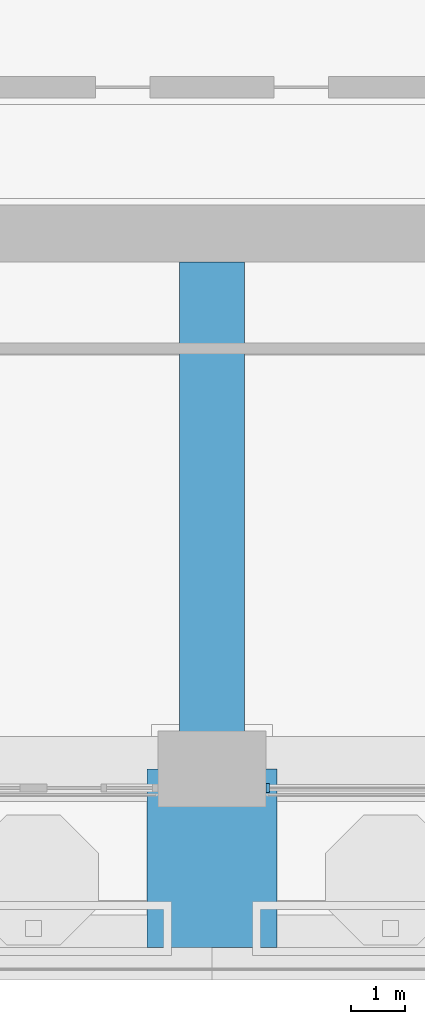
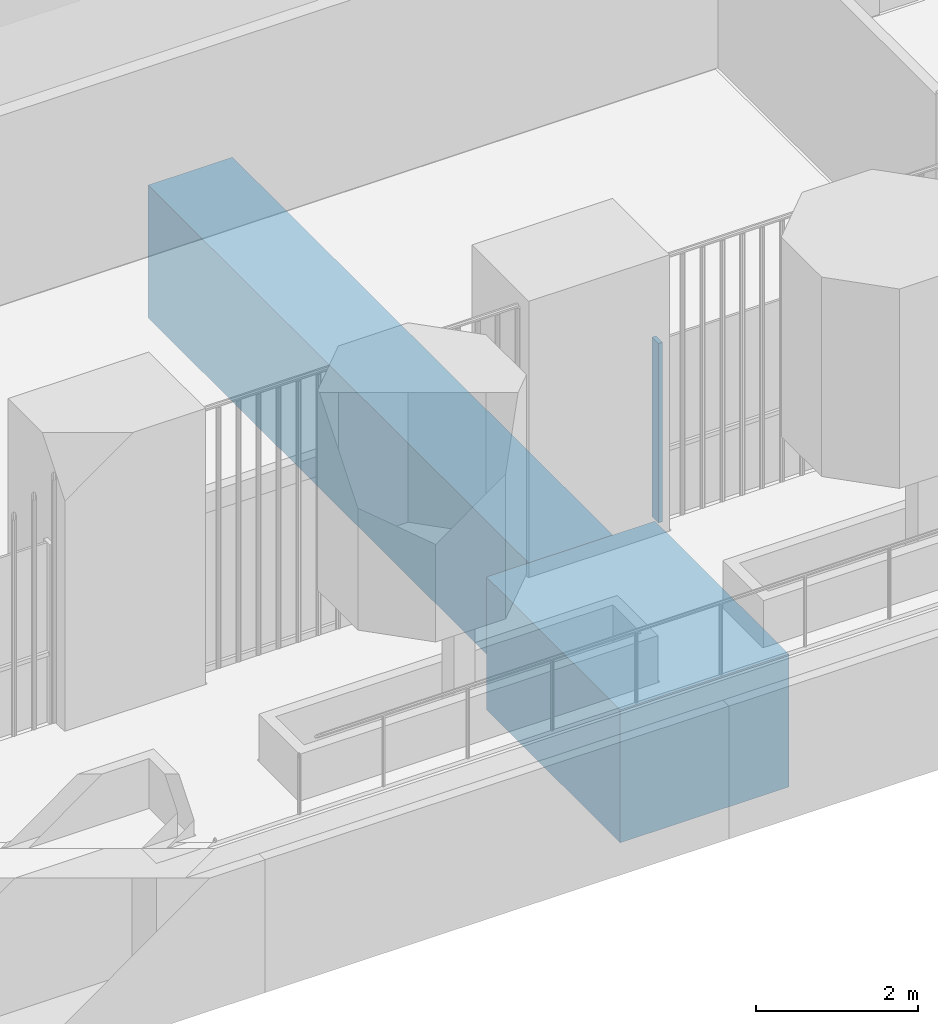
# One storey, part 3 of 22: 2 beams, 1 member, 1 element without a shape of its own.
"""IFC4 building model written with IfcOpenShell, lengths in metres."""

from ifc_helpers import new_model, si_unit, direction, frame, origin, origin_2d, place, context, subcontext, project, spatial, rectangle, extrude, material, material_profile, profile_set, type_object, element, aggregate, save


model = new_model("IFC4")

# Units and contexts
model_context = context("Model", 3, precision=1e-05, world=origin(), true_north=direction((0.0, 1.0)))
body_context = subcontext(model_context, "Body", "Model", "MODEL_VIEW")
ifc_project = project(units=[si_unit("LENGTHUNIT", "METRE"), si_unit("AREAUNIT", "SQUARE_METRE"), si_unit("VOLUMEUNIT", "CUBIC_METRE"), si_unit("PLANEANGLEUNIT", "RADIAN"), si_unit("MASSUNIT", "GRAM", prefix="KILO")], contexts=[model_context])

# Site, building, storey
site_placement = place(None, origin())
site = spatial("IfcSite", under=ifc_project, at=site_placement, CompositionType="ELEMENT")
building_placement = place(site_placement, origin())
building = spatial("IfcBuilding", under=site, at=building_placement, Name="Cobogo Forest Laboratory Tower", CompositionType="ELEMENT")
storey_placement = place(building_placement, frame((0.0, 0.0, 155.699951171875)))
storey = spatial("IfcBuildingStorey", under=building, at=storey_placement, Name="L35", CompositionType="ELEMENT", Elevation=155.699951171875)

# Curtain wall, member
ifc_material_1 = material(Name="Aluminium curtain wall", Category="aluminium")
curtain_wall_type = type_object("IfcCurtainWallType", Name="CW-2 unitised curtain wall, solar control glazing, laboratory floors zones C and D", PredefinedType="USERDEFINED", material=ifc_material_1)
curtain_wall_placement = place(storey_placement, origin())
curtain_wall = element("IfcCurtainWall", 1, at=curtain_wall_placement, inside=storey, type_object=curtain_wall_type, Name="Curtain wall 05 L35", ObjectType="UNITISED CURTAIN WALL", PredefinedType="USERDEFINED")
ifc_material_2 = material(Name="Aluminium mullion", Category="aluminium")
ifc_material_profile_1 = material_profile(ifc_material_2, rectangle(XDim=0.06005859375, YDim=0.159912109375, at=origin_2d()), Name="AL 60x160")
ifc_profile_set_1 = profile_set([ifc_material_profile_1], Name="Aluminium mullion")
member_type = type_object("IfcMemberType", Name="MU-1 aluminium mullion 60x160", PredefinedType="MULLION", material=ifc_profile_set_1)
member_placement = place(storey_placement, frame((34.030029296875, 2.949951171875, 0.0), z_axis=(0.0, 0.0, 1.0), x_axis=(1.0, 0.0, 0.0)))
member = element("IfcMember", 2, at=member_placement, type_object=member_type, Name="CW-2 mullion 1", PredefinedType="MULLION", context=body_context, shape_type="SweptSolid", body=[
    extrude(rectangle(XDim=0.06005859375, YDim=0.159912109375, at=origin_2d()), origin(), (0.0, 0.0, 1.0), 2.699951171875),
])
aggregate(curtain_wall, [member])

# Beams
ifc_material_3 = material(Name="Concrete HA-50 (C50/60)", Category="concrete")
ifc_material_profile_2 = material_profile(ifc_material_3, rectangle(XDim=2.39990234375, YDim=2.0, at=origin_2d()), Name="RC 2400x2000")
ifc_profile_set_2 = profile_set([ifc_material_profile_2], Name="Concrete HA-50 (C50/60)")
beam_type_1 = type_object("IfcBeamType", Name="Setback floor end-bay girder 2400x2000", PredefinedType="BEAM", material=ifc_profile_set_2)
beam_1_placement = place(storey_placement, frame((33.0, 0.0, -1.300048828125), z_axis=(0.0, 1.0, 0.0), x_axis=(-1.0, 0.0, 0.0)))
element("IfcBeam", 3, at=beam_1_placement, inside=storey, type_object=beam_type_1, Name="TG3 R-6-S-X L35", PredefinedType="BEAM", context=body_context, shape_type="SweptSolid", body=[
    extrude(rectangle(XDim=2.39990234375, YDim=2.0, at=origin_2d()), origin(), (0.0, 0.0, 1.0), 3.300048828125),
])
ifc_material_4 = material(Name="Concrete HA-40 (C40/50)", Category="concrete")
ifc_material_profile_3 = material_profile(ifc_material_4, rectangle(XDim=1.199951171875, YDim=2.0, at=origin_2d()), Name="RC 1200x2000")
ifc_profile_set_3 = profile_set([ifc_material_profile_3], Name="Concrete HA-40 (C40/50)")
beam_type_2 = type_object("IfcBeamType", Name="Setback floor girder 1200x2000", PredefinedType="BEAM", material=ifc_profile_set_3)
beam_2_placement = place(storey_placement, frame((33.0, 12.675048828125, -1.300048828125), z_axis=(0.0, -1.0, 0.0), x_axis=(1.0, 0.0, 0.0)))
element("IfcBeam", 4, at=beam_2_placement, inside=storey, type_object=beam_type_2, Name="TG2 R-6-S L35", PredefinedType="BEAM", context=body_context, shape_type="SweptSolid", body=[
    extrude(rectangle(XDim=1.199951171875, YDim=2.0, at=origin_2d()), origin(), (0.0, 0.0, 1.0), 9.375),
])

save(model, "model.ifc")
